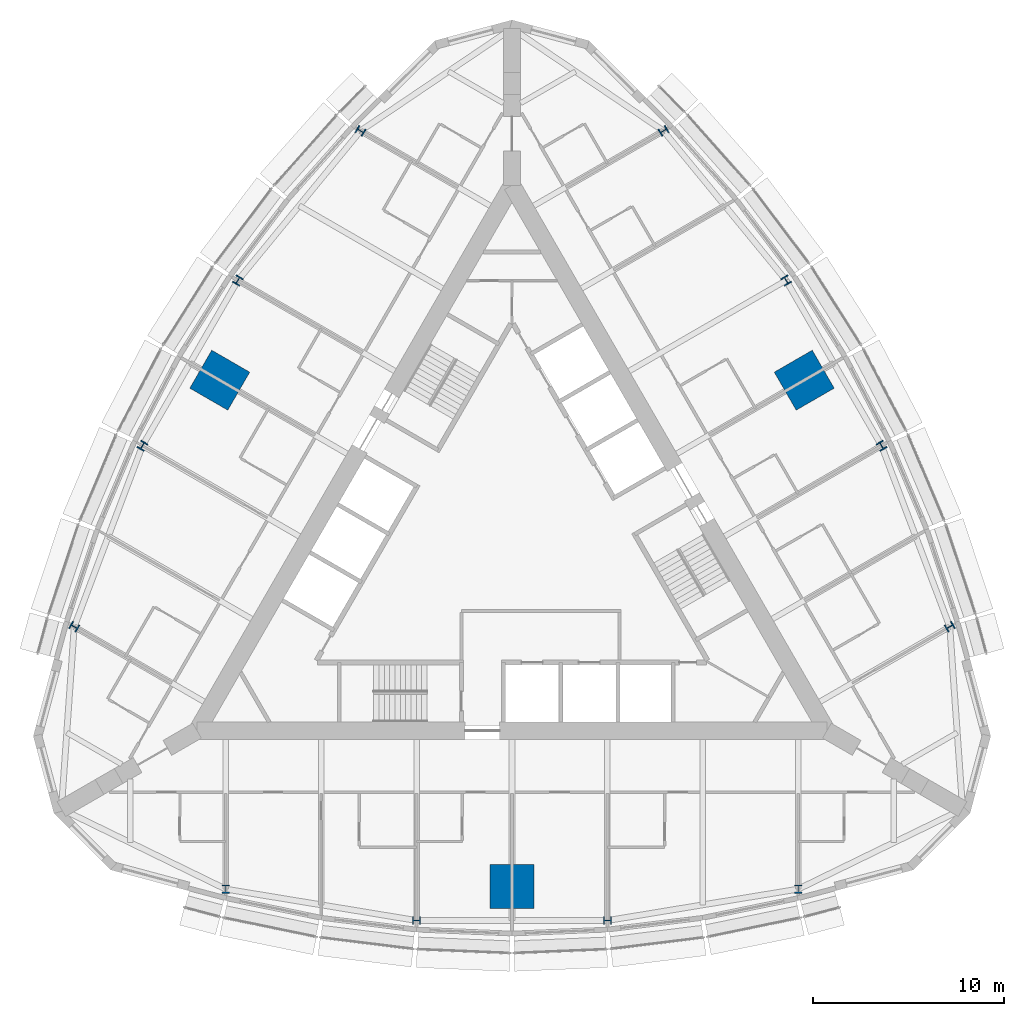
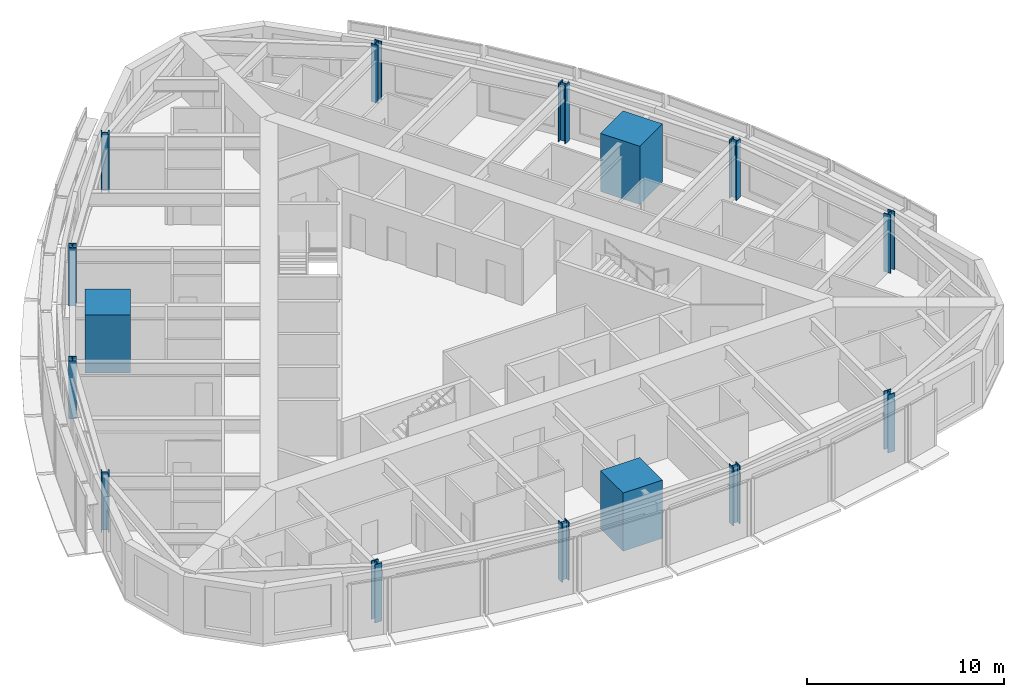
# One storey, part 1 of 15: 15 columns.
"""IFC4 building model written with IfcOpenShell, lengths in metres."""

from ifc_helpers import new_model, si_unit, direction, frame, origin, origin_2d, place, context, subcontext, project, spatial, rectangle, i_section, extrude, material, material_profile, profile_set, type_object, element, save


model = new_model("IFC4")

# Units and contexts
model_context = context("Model", 3, precision=1e-05, world=origin(), true_north=direction((0.0, 1.0)))
body_context = subcontext(model_context, "Body", "Model", "MODEL_VIEW")
ifc_project = project(units=[si_unit("LENGTHUNIT", "METRE"), si_unit("AREAUNIT", "SQUARE_METRE"), si_unit("VOLUMEUNIT", "CUBIC_METRE"), si_unit("PLANEANGLEUNIT", "RADIAN"), si_unit("MASSUNIT", "GRAM", prefix="KILO")], contexts=[model_context])

# Site, building, storey
site_placement = place(None, origin())
site = spatial("IfcSite", under=ifc_project, at=site_placement, CompositionType="ELEMENT")
building_placement = place(site_placement, origin())
building = spatial("IfcBuilding", under=site, at=building_placement, Name="Trikona Tower", CompositionType="ELEMENT")
storey_placement = place(building_placement, frame((0.0, 0.0, 200.89990234375)))
storey = spatial("IfcBuildingStorey", under=building, at=storey_placement, Name="L53", CompositionType="ELEMENT", Elevation=200.89990234375)

# Columns
ifc_material_1 = material(Name="Concrete f'c 10000 psi with encased steel section", Category="concrete")
ifc_material_profile_1 = material_profile(ifc_material_1, rectangle(XDim=2.300048828125, YDim=2.300048828125, at=origin_2d()), Name="MC2300")
ifc_profile_set_1 = profile_set([ifc_material_profile_1], Name="Concrete f'c 10000 psi with encased steel section")
column_type_1 = type_object("IfcColumnType", Name="Composite mega column 2300x2300", PredefinedType="COLUMN", material=ifc_profile_set_1)
for number, where, z_axis, x_axis, name in (
    (1, (0.0, -17.680419921875, 0.0), (0.0, 0.0, 1.0), (0.0, -1.0, 0.0), "Mega column MC1"),
    (2, (15.311767578125, 8.84033203125, 0.0), (0.0, 0.0, 1.0), (0.866025403784, 0.5, 0.0), "Mega column MC2"),
    (3, (-15.311767578125, 8.84033203125, 0.0), (0.0, 0.0, 1.0), (-0.866025403784, 0.5, 0.0), "Mega column MC3"),
):
    element("IfcColumn", number, at=place(storey_placement, frame(where, z_axis=z_axis, x_axis=x_axis)), inside=storey, type_object=column_type_1, Name=name, PredefinedType="COLUMN", context=body_context, shape_type="SweptSolid", body=[
        extrude(rectangle(XDim=2.300048828125, YDim=2.300048828125, at=origin_2d()), origin(), (0.0, 0.0, 1.0), 3.60009765625),
    ])
ifc_material_2 = material(Name="Steel ASTM A992 Grade 50", Category="steel")
ifc_material_profile_2 = material_profile(ifc_material_2, i_section(OverallWidth=0.411376953125, OverallDepth=0.434326171875, WebThickness=0.035888671875, FlangeThickness=0.057373046875, at=origin_2d()), Name="W14X311")
ifc_profile_set_2 = profile_set([ifc_material_profile_2], Name="Steel ASTM A992 Grade 50")
column_type_2 = type_object("IfcColumnType", Name="Steel column W14x311", PredefinedType="COLUMN", material=ifc_profile_set_2)
for number, where, z_axis, x_axis, name in (
    (4, (-15.0, -17.824951171875, 0.0), (0.0, 0.0, 1.0), (1.0, 0.0, 0.0), "Column F0m15"),
    (5, (-5.0, -19.471923828125, 0.0), (0.0, 0.0, 1.0), (0.0, -1.0, 0.0), "Column F0m5"),
    (6, (5.0, -19.471923828125, 0.0), (0.0, 0.0, 1.0), (0.0, -1.0, 0.0), "Column F0p5"),
    (7, (15.0, -17.824951171875, 0.0), (0.0, 0.0, 1.0), (1.0, 0.0, 0.0), "Column F0p15"),
    (8, (22.936767578125, -4.077880859375, 0.0), (0.0, 0.0, 1.0), (-0.5, 0.866025403784, 0.0), "Column F1m15"),
    (9, (19.36328125, 5.406005859375, 0.0), (0.0, 0.0, 1.0), (0.866025403784, 0.5, 0.0), "Column F1m5"),
    (10, (14.36328125, 14.066162109375, 0.0), (0.0, 0.0, 1.0), (0.866025403784, 0.5, 0.0), "Column F1p5"),
    (11, (7.936767578125, 21.90283203125, 0.0), (0.0, 0.0, 1.0), (-0.5, 0.866025403784, 0.0), "Column F1p15"),
    (12, (-7.936767578125, 21.90283203125, 0.0), (0.0, 0.0, 1.0), (-0.5, -0.866025403784, 0.0), "Column F2m15"),
    (13, (-14.36328125, 14.066162109375, 0.0), (0.0, 0.0, 1.0), (-0.866025403784, 0.5, 0.0), "Column F2m5"),
    (14, (-19.36328125, 5.406005859375, 0.0), (0.0, 0.0, 1.0), (-0.866025403784, 0.5, 0.0), "Column F2p5"),
    (15, (-22.936767578125, -4.077880859375, 0.0), (0.0, 0.0, 1.0), (-0.5, -0.866025403784, 0.0), "Column F2p15"),
):
    element("IfcColumn", number, at=place(storey_placement, frame(where, z_axis=z_axis, x_axis=x_axis)), inside=storey, type_object=column_type_2, Name=name, PredefinedType="COLUMN", context=body_context, shape_type="SweptSolid", body=[
        extrude(i_section(OverallWidth=0.411376953125, OverallDepth=0.434326171875, WebThickness=0.035888671875, FlangeThickness=0.057373046875, at=origin_2d()), origin(), (0.0, 0.0, 1.0), 3.60009765625),
    ])

save(model, "model.ifc")
